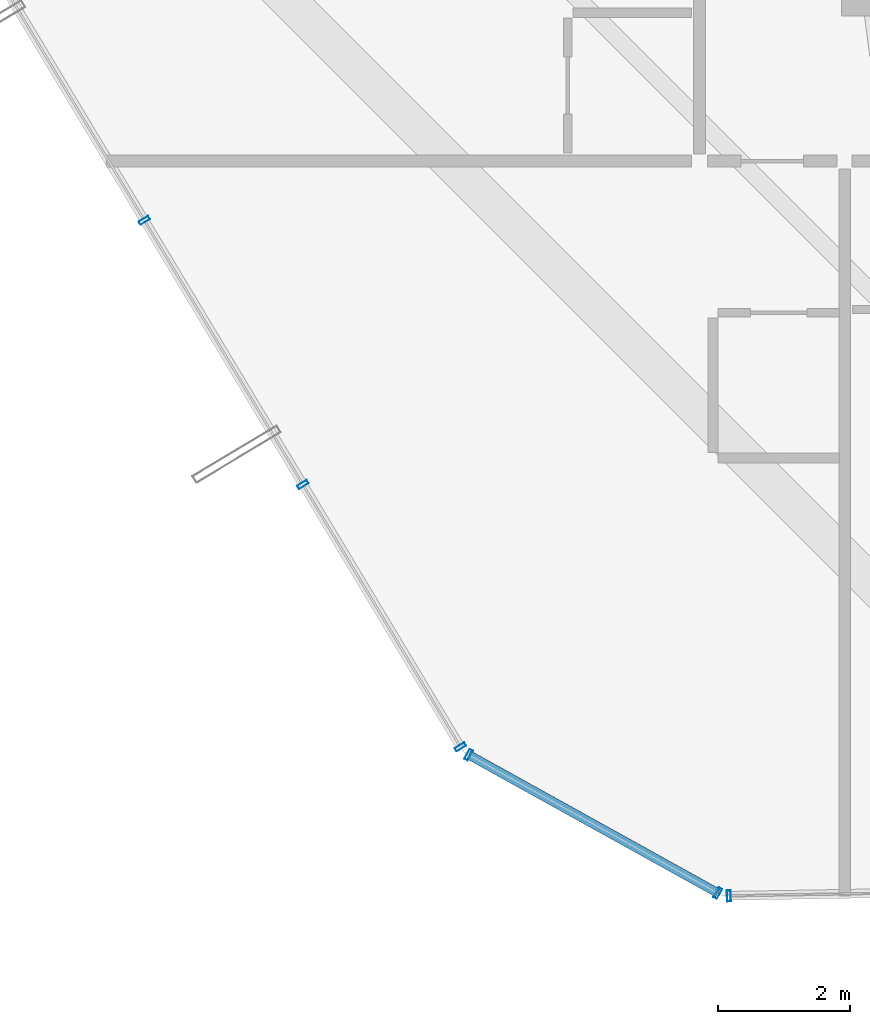
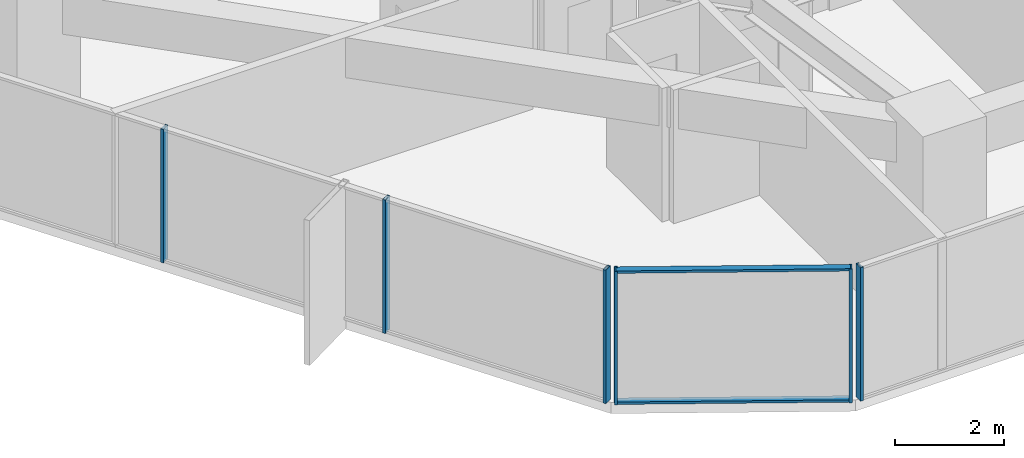
# One storey, part 2 of 39: 8 members, 3 elements without a shape of their own.
"""IFC4 building model written with IfcOpenShell, lengths in metres."""

from ifc_helpers import new_model, si_unit, direction, frame, origin, origin_2d, place, context, subcontext, project, spatial, hollow_rectangle, extrude, source, transform, mapped, material, layer, layer_set, material_profile, profile_set, type_object, element, aggregate, save


model = new_model("IFC4")

# Units and contexts
model_context = context("Model", 3, precision=1e-05, world=origin(), true_north=direction((0.0, 1.0)))
body_context = subcontext(model_context, "Body", "Model", "MODEL_VIEW")
ifc_project = project(units=[si_unit("LENGTHUNIT", "METRE"), si_unit("AREAUNIT", "SQUARE_METRE"), si_unit("VOLUMEUNIT", "CUBIC_METRE"), si_unit("PLANEANGLEUNIT", "RADIAN"), si_unit("MASSUNIT", "GRAM", prefix="KILO")], contexts=[model_context])

# Site, building, storey
site_placement = place(None, origin())
site = spatial("IfcSite", under=ifc_project, at=site_placement, CompositionType="ELEMENT")
building_placement = place(site_placement, origin())
building = spatial("IfcBuilding", under=site, at=building_placement, Name="Veraguas Prism Commons", CompositionType="ELEMENT")
storey_placement = place(building_placement, frame((0.0, 0.0, 27.300048828125)))
storey = spatial("IfcBuildingStorey", under=building, at=storey_placement, Name="L06", CompositionType="ELEMENT", Elevation=27.300048828125)

# Curtain wall, members
ifc_material = material(Name="Anodised aluminium EN AW-6063 T6", Category="aluminium")
ifc_layer = layer(ifc_material, 0.169921875, Name="Unitised Flush Curtain Wall Zone 1", Category="aluminium")
ifc_layer_set = layer_set([ifc_layer], Name="Anodised aluminium EN AW-6063 T6")
curtain_wall_type = type_object("IfcCurtainWallType", Name="Unitised Flush Curtain Wall Zone 1", PredefinedType="NOTDEFINED", material=ifc_layer_set)
curtain_wall_1_placement = place(storey_placement, origin())
curtain_wall_1 = element("IfcCurtainWall", 1, at=curtain_wall_1_placement, inside=storey, type_object=curtain_wall_type, Name="Tower Facade Curtain Wall L06-F4", PredefinedType="NOTDEFINED")
ifc_material_profile_1 = material_profile(ifc_material, hollow_rectangle(XDim=0.06005859375, YDim=0.169921875, WallThickness=0.00390625, at=origin_2d()), Name="AL60X170X4")
ifc_profile_set_1 = profile_set([ifc_material_profile_1], Name="Anodised aluminium EN AW-6063 T6")
member_type_1 = type_object("IfcMemberType", Name="Curtain Wall Mullion Lower AL 60x170x4", PredefinedType="MULLION", material=ifc_profile_set_1)
shared_shape_1 = source(origin(), body_context, "Body", "SweptSolid", [
    extrude(hollow_rectangle(XDim=0.06005859375, YDim=0.169921875, WallThickness=0.00390625, at=origin_2d()), origin(), (0.0, 0.0, 1.0), 3.0),
])
member_1_placement = place(storey_placement, frame((6.180419921875, 13.30126953125, 0.0), z_axis=(0.0, 0.0, 1.0), x_axis=(0.51473434664, -0.857349725835, 0.0)))
member_1 = element("IfcMember", 2, at=member_1_placement, type_object=member_type_1, Name="CW-Z1 Mullion 3", PredefinedType="MULLION", context=body_context, shape_type="MappedRepresentation", body=[
    mapped(shared_shape_1, transform((0.0, 0.0, 0.0), scale=1.0)),
])
member_2_placement = place(storey_placement, frame((8.584716796875, 9.296630859375, 0.0), z_axis=(0.0, 0.0, 1.0), x_axis=(0.51473434664, -0.857349725835, 0.0)))
member_2 = element("IfcMember", 3, at=member_2_placement, type_object=member_type_1, Name="CW-Z1 Mullion 4", PredefinedType="MULLION", context=body_context, shape_type="MappedRepresentation", body=[
    mapped(shared_shape_1, transform((0.0, 0.0, 0.0), scale=1.0)),
])
member_3_placement = place(storey_placement, frame((10.9736328125, 5.317626953125, 0.0), z_axis=(0.0, 0.0, 1.0), x_axis=(0.51473434664, -0.857349725835, 0.0)))
member_3 = element("IfcMember", 4, at=member_3_placement, type_object=member_type_1, Name="CW-Z1 Mullion 5", PredefinedType="MULLION", context=body_context, shape_type="MappedRepresentation", body=[
    mapped(shared_shape_1, transform((0.0, 0.0, 0.0), scale=1.0)),
])
aggregate(curtain_wall_1, [member_1, member_2, member_3])

# Curtain wall, member
curtain_wall_2_placement = place(storey_placement, origin())
curtain_wall_2 = element("IfcCurtainWall", 5, at=curtain_wall_2_placement, inside=storey, type_object=curtain_wall_type, Name="Tower Facade Curtain Wall L06-F5", PredefinedType="NOTDEFINED")
member_4_placement = place(storey_placement, frame((15.044921875, 3.05908203125, 0.0), z_axis=(0.0, 0.0, 1.0), x_axis=(0.999853696429, 0.017105137769, 0.0)))
member_4 = element("IfcMember", 6, at=member_4_placement, type_object=member_type_1, Name="CW-Z1 Mullion 1", PredefinedType="MULLION", context=body_context, shape_type="MappedRepresentation", body=[
    mapped(shared_shape_1, transform((0.0, 0.0, 0.0), scale=1.0)),
])
aggregate(curtain_wall_2, [member_4])

# Curtain wall, members
curtain_wall_3_placement = place(storey_placement, origin())
curtain_wall_3 = element("IfcCurtainWall", 7, at=curtain_wall_3_placement, inside=storey, type_object=curtain_wall_type, Name="Chamfer Curtain Wall L06-C5", PredefinedType="NOTDEFINED")
member_5_placement = place(storey_placement, frame((11.0986328125, 5.197021484375, 0.0), z_axis=(0.0, 0.0, 1.0), x_axis=(0.874445343216, -0.485124047773, 0.0)))
member_5 = element("IfcMember", 8, at=member_5_placement, type_object=member_type_1, Name="CW-Z1 Mullion 1", PredefinedType="MULLION", context=body_context, shape_type="MappedRepresentation", body=[
    mapped(shared_shape_1, transform((0.0, 0.0, 0.0), scale=1.0)),
])
member_6_placement = place(storey_placement, frame((14.876220703125, 3.101318359375, 0.0), z_axis=(0.0, 0.0, 1.0), x_axis=(0.874445343216, -0.485124047773, 0.0)))
member_6 = element("IfcMember", 9, at=member_6_placement, type_object=member_type_1, Name="CW-Z1 Mullion 2", PredefinedType="MULLION", context=body_context, shape_type="MappedRepresentation", body=[
    mapped(shared_shape_1, transform((0.0, 0.0, 0.0), scale=1.0)),
])
ifc_material_profile_2 = material_profile(ifc_material, hollow_rectangle(XDim=0.054931640625, YDim=0.135009765625, WallThickness=0.0029296875, at=origin_2d()), Name="AL55X135X3")
ifc_profile_set_2 = profile_set([ifc_material_profile_2], Name="Anodised aluminium EN AW-6063 T6")
member_type_2 = type_object("IfcMemberType", Name="Curtain Wall Transom Standard AL 55x135x3", PredefinedType="USERDEFINED", material=ifc_profile_set_2)
shared_shape_2 = source(origin(), body_context, "Body", "SweptSolid", [
    extrude(hollow_rectangle(XDim=0.054931640625, YDim=0.135009765625, WallThickness=0.0029296875, at=origin_2d()), origin(), (0.0, 0.0, 1.0), 4.320068359375),
])
member_7_placement = place(storey_placement, frame((11.0986328125, 5.197021484375, 0.02734375), z_axis=(0.8744476891, -0.485119819249, 0.0), x_axis=(0.0, 0.0, 1.0)))
member_7 = element("IfcMember", 10, at=member_7_placement, type_object=member_type_2, Name="CW-Z1 Transom 1", ObjectType="TRANSOM", PredefinedType="USERDEFINED", context=body_context, shape_type="MappedRepresentation", body=[
    mapped(shared_shape_2, transform((0.0, 0.0, 0.0), scale=1.0)),
])
member_8_placement = place(storey_placement, frame((11.0986328125, 5.197021484375, 2.972412109375), z_axis=(0.8744476891, -0.485119819249, 0.0), x_axis=(0.0, 0.0, 1.0)))
member_8 = element("IfcMember", 11, at=member_8_placement, type_object=member_type_2, Name="CW-Z1 Transom 2", ObjectType="TRANSOM", PredefinedType="USERDEFINED", context=body_context, shape_type="MappedRepresentation", body=[
    mapped(shared_shape_2, transform((0.0, 0.0, 0.0), scale=1.0)),
])
aggregate(curtain_wall_3, [member_5, member_6, member_7, member_8])

save(model, "model.ifc")
